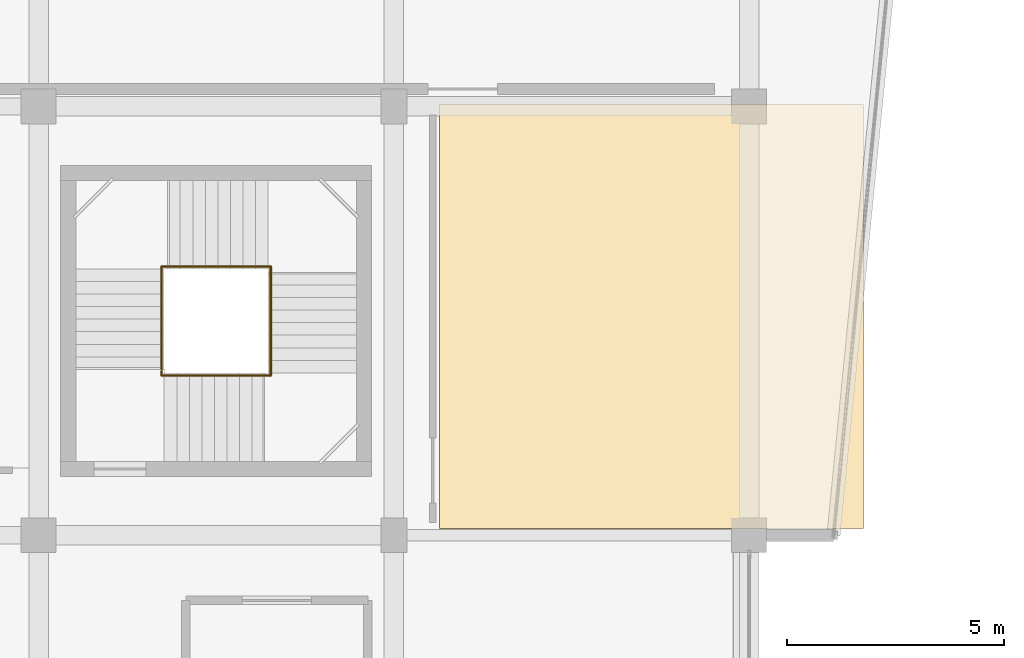
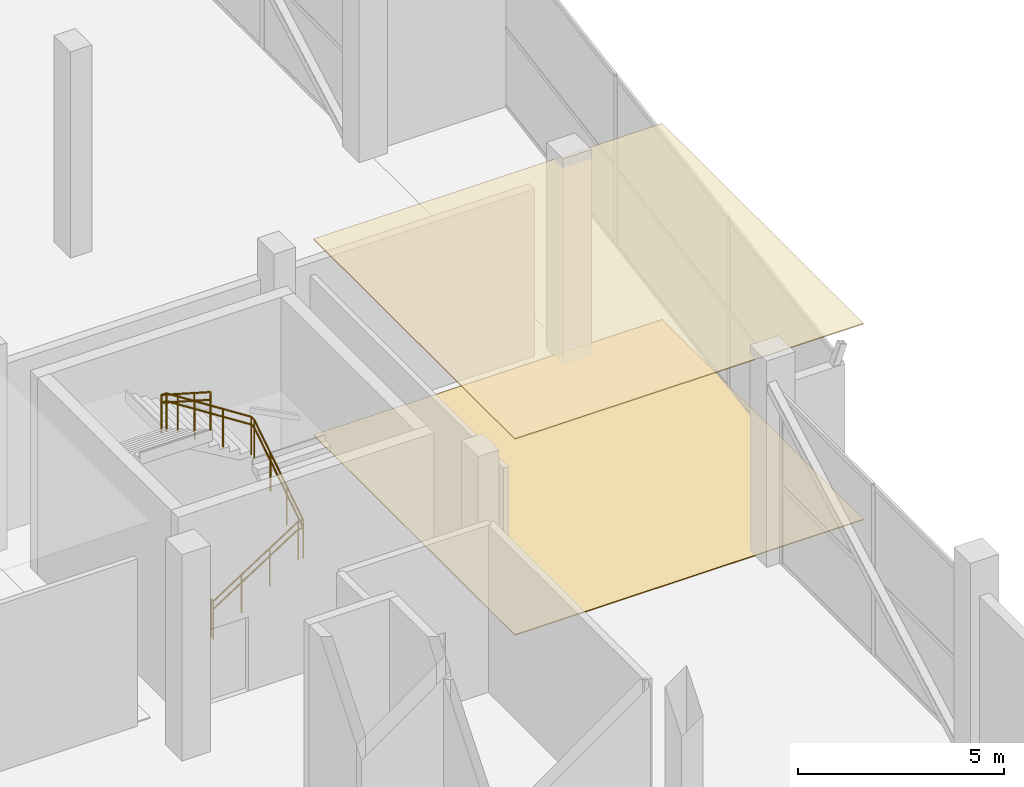
# One storey, part 56 of 58: 3 railings, 2 coverings.
"""IFC4 building model written with IfcOpenShell, lengths in metres."""

from ifc_helpers import new_model, si_unit, direction, frame, origin, origin_2d, place, context, subcontext, project, spatial, polyline, circle, outline, extrude, material, layer, layer_set, type_object, element, save


model = new_model("IFC4")

# Units and contexts
model_context = context("Model", 3, precision=1e-05, world=origin(), true_north=direction((0.0, 1.0)))
body_context = subcontext(model_context, "Body", "Model", "MODEL_VIEW")
ifc_project = project(units=[si_unit("LENGTHUNIT", "METRE"), si_unit("AREAUNIT", "SQUARE_METRE"), si_unit("VOLUMEUNIT", "CUBIC_METRE"), si_unit("PLANEANGLEUNIT", "RADIAN"), si_unit("MASSUNIT", "GRAM", prefix="KILO")], contexts=[model_context])

# Site, building, storey
site_placement = place(None, origin())
site = spatial("IfcSite", under=ifc_project, at=site_placement, CompositionType="ELEMENT")
building_placement = place(site_placement, origin())
building = spatial("IfcBuilding", under=site, at=building_placement, Name="Sillaruma Civic Art Gallery", CompositionType="ELEMENT")
storey_placement = place(building_placement, frame((0.0, 0.0, 22.43994140625)))
storey = spatial("IfcBuildingStorey", under=building, at=storey_placement, Name="L04", CompositionType="ELEMENT", Elevation=22.43994140625)

# Coverings
ifc_material_1 = material(Name="Gypsum Acoustic Board", Category="gypsum")
ifc_layer_1 = layer(ifc_material_1, 0.030029296875, Name="Gypsum Acoustic Board")
ifc_layer_set_1 = layer_set([ifc_layer_1], Name="Gypsum Acoustic Board")
covering_type_1 = type_object("IfcCoveringType", Name="COV-CLG-30", PredefinedType="CEILING", material=ifc_layer_set_1)
covering_1_placement = place(storey_placement, frame((0.0, 0.0, 5.81005859375)))
element("IfcCovering", 1, at=covering_1_placement, inside=storey, type_object=covering_type_1, Name="Acoustic Gallery Ceiling (L04-GAL42)", PredefinedType="CEILING", context=body_context, shape_type="SweptSolid", body=[
    extrude(outline(polyline([(107.260009765625, 49.659912109375), (117.0400390625, 49.659912109375), (117.0400390625, 59.43994140625), (107.260009765625, 59.43994140625), (107.260009765625, 49.659912109375)])), origin(), (0.0, 0.0, 1.0), 0.030029296875),
])
ifc_material_2 = material(Name="Polished Terrazzo", Category="masonry")
ifc_layer_2 = layer(ifc_material_2, 0.02490234375, Name="Polished Terrazzo")
ifc_layer_set_2 = layer_set([ifc_layer_2], Name="Polished Terrazzo")
covering_type_2 = type_object("IfcCoveringType", Name="COV-FLR-25", PredefinedType="FLOORING", material=ifc_layer_set_2)
covering_2_placement = place(storey_placement, origin())
element("IfcCovering", 2, at=covering_2_placement, inside=storey, type_object=covering_type_2, Name="Gallery Stone Terrazzo Flooring (L04-GAL42)", PredefinedType="FLOORING", context=body_context, shape_type="SweptSolid", body=[
    extrude(outline(polyline([(107.260009765625, 49.659912109375), (117.0400390625, 49.659912109375), (117.0400390625, 59.43994140625), (107.260009765625, 59.43994140625), (107.260009765625, 49.659912109375)])), origin(), (0.0, 0.0, 1.0), 0.025146484375),
])

# Railings
ifc_material_3 = material(Name="Stainless Steel AISI 316", Category="steel")
railing_type_1 = type_object("IfcRailingType", Name="RAL-BAL-1150", PredefinedType="BALUSTRADE", material=ifc_material_3)
railing_1_placement = place(storey_placement, frame((100.840087890625, 53.18994140625, 0.0)))
element("IfcRailing", 3, at=railing_1_placement, inside=storey, type_object=railing_type_1, Name="Stair Floor Edge Guard (ST-04:L04)", PredefinedType="BALUSTRADE", context=body_context, shape_type="SweptSolid", body=[
    extrude(circle(Radius=0.02392578125, at=origin_2d()), frame((0.0, 0.0, 1.1259765625), z_axis=(0.0, 1.0, 0.0), x_axis=(-1.0, 0.0, 0.0)), (0.0, 0.0, 1.0), 0.10009765625),
    extrude(circle(Radius=0.02099609375, at=origin_2d()), origin(), (0.0, 0.0, 1.0), 1.101806640625),
    extrude(circle(Radius=0.02099609375, at=origin_2d()), frame((0.0, 0.10009765625, 0.0)), (0.0, 0.0, 1.0), 1.101806640625),
])
railing_2_placement = place(storey_placement, frame((100.840087890625, 53.18994140625, 0.0)))
element("IfcRailing", 4, at=railing_2_placement, inside=storey, type_object=railing_type_1, Name="Stair Well Balustrade (ST-04-L04)", PredefinedType="BALUSTRADE", context=body_context, shape_type="SweptSolid", body=[
    extrude(circle(Radius=0.02392578125, at=origin_2d()), frame((0.0, 0.0, 1.1259765625), z_axis=(0.841161652958, 0.0, 0.540783758626), x_axis=(0.0, 1.0, 0.0)), (0.0, 0.0, 1.0), 2.829345703125),
    extrude(circle(Radius=0.02392578125, at=origin_2d()), frame((2.3798828125, 0.0, 2.65576171875), z_axis=(1.0, 0.0, 0.0), x_axis=(0.0, 1.0, 0.0)), (0.0, 0.0, 1.0), 0.14013671875),
    extrude(circle(Radius=0.02392578125, at=origin_2d()), frame((2.52001953125, 0.0, 2.65576171875), z_axis=(0.0, 0.84118688567, 0.540744508411), x_axis=(-1.0, 0.0, 0.0)), (0.0, 0.0, 1.0), 2.82958984375),
    extrude(circle(Radius=0.02392578125, at=origin_2d()), frame((2.52001953125, 2.380126953125, 4.18603515625), z_axis=(0.0, 1.0, 0.0), x_axis=(-1.0, 0.0, 0.0)), (0.0, 0.0, 1.0), 0.139892578125),
    extrude(circle(Radius=0.02392578125, at=origin_2d()), frame((2.52001953125, 2.52001953125, 4.18603515625), z_axis=(-0.84118688567, 0.0, 0.540744508411), x_axis=(0.0, -1.0, 0.0)), (0.0, 0.0, 1.0), 2.82958984375),
    extrude(circle(Radius=0.02392578125, at=origin_2d()), frame((0.139892578125, 2.52001953125, 5.7158203125), z_axis=(-1.0, 0.0, 0.0), x_axis=(0.0, -1.0, 0.0)), (0.0, 0.0, 1.0), 0.139892578125),
    extrude(circle(Radius=0.02392578125, at=origin_2d()), frame((0.0, 2.52001953125, 5.7158203125), z_axis=(0.0, -0.841161652958, 0.540783758626), x_axis=(1.0, 0.0, 0.0)), (0.0, 0.0, 1.0), 2.829345703125),
    extrude(circle(Radius=0.02099609375, at=origin_2d()), origin(), (0.0, 0.0, 1.0), 1.101806640625),
    extrude(circle(Radius=0.02099609375, at=origin_2d()), frame((0.793212890625, 0.0, 0.510009765625)), (0.0, 0.0, 1.0), 1.101806640625),
    extrude(circle(Radius=0.02099609375, at=origin_2d()), frame((1.586669921875, 0.0, 1.02001953125)), (0.0, 0.0, 1.0), 1.101806640625),
    extrude(circle(Radius=0.02099609375, at=origin_2d()), frame((2.3798828125, 0.0, 1.530029296875)), (0.0, 0.0, 1.0), 1.101806640625),
    extrude(circle(Radius=0.02099609375, at=origin_2d()), frame((2.52001953125, 0.0, 1.530029296875)), (0.0, 0.0, 1.0), 1.101806640625),
    extrude(circle(Radius=0.02099609375, at=origin_2d()), frame((2.52001953125, 0.79345703125, 2.0400390625)), (0.0, 0.0, 1.0), 1.101806640625),
    extrude(circle(Radius=0.02099609375, at=origin_2d()), frame((2.52001953125, 1.586669921875, 2.550048828125)), (0.0, 0.0, 1.0), 1.101806640625),
    extrude(circle(Radius=0.02099609375, at=origin_2d()), frame((2.52001953125, 2.380126953125, 3.06005859375)), (0.0, 0.0, 1.0), 1.101806640625),
    extrude(circle(Radius=0.02099609375, at=origin_2d()), frame((2.52001953125, 2.52001953125, 3.06005859375)), (0.0, 0.0, 1.0), 1.101806640625),
    extrude(circle(Radius=0.02099609375, at=origin_2d()), frame((1.7265625, 2.52001953125, 3.570068359375)), (0.0, 0.0, 1.0), 1.101806640625),
    extrude(circle(Radius=0.02099609375, at=origin_2d()), frame((0.933349609375, 2.52001953125, 4.080078125)), (0.0, 0.0, 1.0), 1.101806640625),
    extrude(circle(Radius=0.02099609375, at=origin_2d()), frame((0.139892578125, 2.52001953125, 4.590087890625)), (0.0, 0.0, 1.0), 1.101806640625),
    extrude(circle(Radius=0.02099609375, at=origin_2d()), frame((0.0, 2.52001953125, 4.590087890625)), (0.0, 0.0, 1.0), 1.101806640625),
    extrude(circle(Radius=0.02099609375, at=origin_2d()), frame((0.0, 1.726806640625, 5.10009765625)), (0.0, 0.0, 1.0), 1.101806640625),
    extrude(circle(Radius=0.02099609375, at=origin_2d()), frame((0.0, 0.933349609375, 5.610107421875)), (0.0, 0.0, 1.0), 1.101806640625),
    extrude(circle(Radius=0.02099609375, at=origin_2d()), frame((0.0, 0.14013671875, 6.1201171875)), (0.0, 0.0, 1.0), 1.101806640625),
])
railing_type_2 = type_object("IfcRailingType", Name="RAL-HND-920", PredefinedType="HANDRAIL", material=ifc_material_3)
railing_3_placement = place(storey_placement, frame((100.840087890625, 53.18994140625, 0.0)))
element("IfcRailing", 5, at=railing_3_placement, inside=storey, type_object=railing_type_2, Name="Stair Continuous Handrail (ST-04-L04)", PredefinedType="HANDRAIL", context=body_context, shape_type="SweptSolid", body=[
    extrude(circle(Radius=0.02392578125, at=origin_2d()), frame((0.0, 0.0, 0.89599609375), z_axis=(0.841161652958, 0.0, 0.540783758626), x_axis=(0.0, 1.0, 0.0)), (0.0, 0.0, 1.0), 2.829345703125),
    extrude(circle(Radius=0.02392578125, at=origin_2d()), frame((2.3798828125, 0.0, 2.42578125), z_axis=(1.0, 0.0, 0.0), x_axis=(0.0, 1.0, 0.0)), (0.0, 0.0, 1.0), 0.14013671875),
    extrude(circle(Radius=0.02392578125, at=origin_2d()), frame((2.52001953125, 0.0, 2.42578125), z_axis=(0.0, 0.84118688567, 0.540744508411), x_axis=(-1.0, 0.0, 0.0)), (0.0, 0.0, 1.0), 2.82958984375),
    extrude(circle(Radius=0.02392578125, at=origin_2d()), frame((2.52001953125, 2.380126953125, 3.9560546875), z_axis=(0.0, 1.0, 0.0), x_axis=(-1.0, 0.0, 0.0)), (0.0, 0.0, 1.0), 0.139892578125),
    extrude(circle(Radius=0.02392578125, at=origin_2d()), frame((2.52001953125, 2.52001953125, 3.9560546875), z_axis=(-0.84118688567, 0.0, 0.540744508411), x_axis=(0.0, -1.0, 0.0)), (0.0, 0.0, 1.0), 2.82958984375),
    extrude(circle(Radius=0.02392578125, at=origin_2d()), frame((0.139892578125, 2.52001953125, 5.48583984375), z_axis=(-1.0, 0.0, 0.0), x_axis=(0.0, -1.0, 0.0)), (0.0, 0.0, 1.0), 0.139892578125),
    extrude(circle(Radius=0.02392578125, at=origin_2d()), frame((0.0, 2.52001953125, 5.48583984375), z_axis=(0.0, -0.841161652958, 0.540783758626), x_axis=(1.0, 0.0, 0.0)), (0.0, 0.0, 1.0), 2.829345703125),
    extrude(circle(Radius=0.02099609375, at=origin_2d()), origin(), (0.0, 0.0, 1.0), 0.871826171875),
    extrude(circle(Radius=0.02099609375, at=origin_2d()), frame((0.793212890625, 0.0, 0.510009765625)), (0.0, 0.0, 1.0), 0.871826171875),
    extrude(circle(Radius=0.02099609375, at=origin_2d()), frame((1.586669921875, 0.0, 1.02001953125)), (0.0, 0.0, 1.0), 0.871826171875),
    extrude(circle(Radius=0.02099609375, at=origin_2d()), frame((2.3798828125, 0.0, 1.530029296875)), (0.0, 0.0, 1.0), 0.871826171875),
    extrude(circle(Radius=0.02099609375, at=origin_2d()), frame((2.52001953125, 0.0, 1.530029296875)), (0.0, 0.0, 1.0), 0.871826171875),
    extrude(circle(Radius=0.02099609375, at=origin_2d()), frame((2.52001953125, 0.79345703125, 2.0400390625)), (0.0, 0.0, 1.0), 0.871826171875),
    extrude(circle(Radius=0.02099609375, at=origin_2d()), frame((2.52001953125, 1.586669921875, 2.550048828125)), (0.0, 0.0, 1.0), 0.871826171875),
    extrude(circle(Radius=0.02099609375, at=origin_2d()), frame((2.52001953125, 2.380126953125, 3.06005859375)), (0.0, 0.0, 1.0), 0.871826171875),
    extrude(circle(Radius=0.02099609375, at=origin_2d()), frame((2.52001953125, 2.52001953125, 3.06005859375)), (0.0, 0.0, 1.0), 0.871826171875),
    extrude(circle(Radius=0.02099609375, at=origin_2d()), frame((1.7265625, 2.52001953125, 3.570068359375)), (0.0, 0.0, 1.0), 0.871826171875),
    extrude(circle(Radius=0.02099609375, at=origin_2d()), frame((0.933349609375, 2.52001953125, 4.080078125)), (0.0, 0.0, 1.0), 0.871826171875),
    extrude(circle(Radius=0.02099609375, at=origin_2d()), frame((0.139892578125, 2.52001953125, 4.590087890625)), (0.0, 0.0, 1.0), 0.871826171875),
    extrude(circle(Radius=0.02099609375, at=origin_2d()), frame((0.0, 2.52001953125, 4.590087890625)), (0.0, 0.0, 1.0), 0.871826171875),
    extrude(circle(Radius=0.02099609375, at=origin_2d()), frame((0.0, 1.726806640625, 5.10009765625)), (0.0, 0.0, 1.0), 0.871826171875),
    extrude(circle(Radius=0.02099609375, at=origin_2d()), frame((0.0, 0.933349609375, 5.610107421875)), (0.0, 0.0, 1.0), 0.871826171875),
    extrude(circle(Radius=0.02099609375, at=origin_2d()), frame((0.0, 0.14013671875, 6.1201171875)), (0.0, 0.0, 1.0), 0.871826171875),
])

save(model, "model.ifc")
